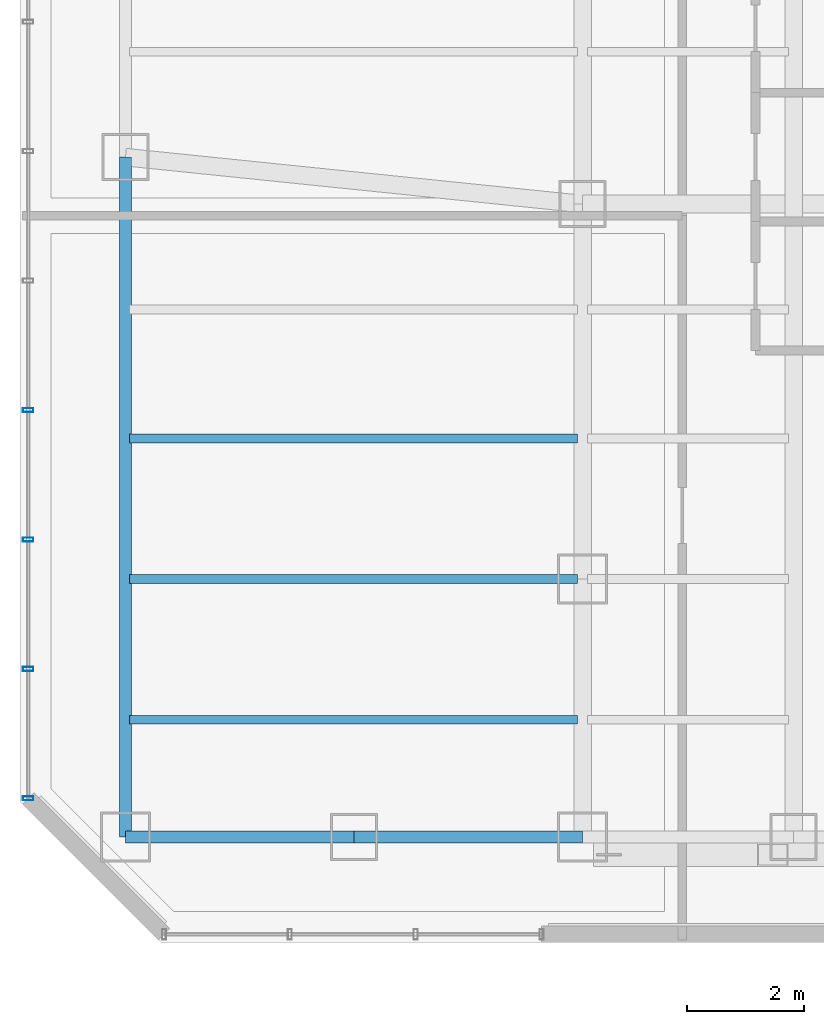
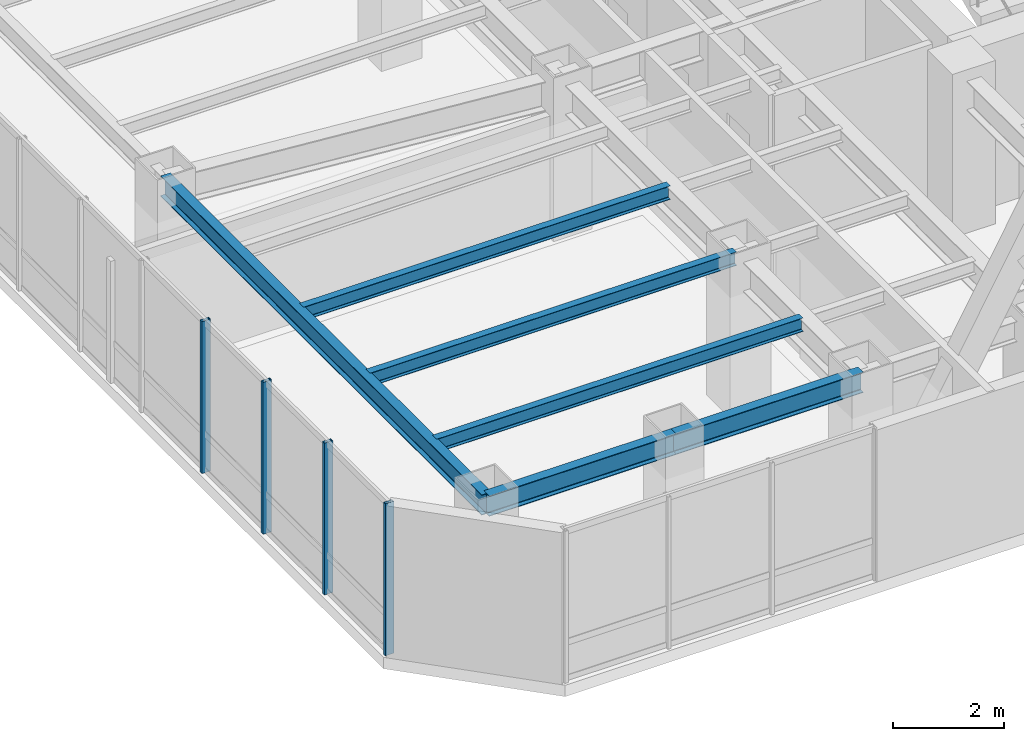
# One storey, part 4 of 27: 6 beams, 4 members, 1 element without a shape of its own.
"""IFC4 building model written with IfcOpenShell, lengths in metres."""

from ifc_helpers import new_model, si_unit, direction, frame, origin, origin_2d, place, context, subcontext, project, spatial, hollow_rectangle, i_section, extrude, material, layer, layer_set, material_profile, profile_set, type_object, element, aggregate, save


model = new_model("IFC4")

# Units and contexts
model_context = context("Model", 3, precision=1e-05, world=origin(), true_north=direction((0.0, 1.0)))
body_context = subcontext(model_context, "Body", "Model", "MODEL_VIEW")
ifc_project = project(units=[si_unit("LENGTHUNIT", "METRE"), si_unit("AREAUNIT", "SQUARE_METRE"), si_unit("VOLUMEUNIT", "CUBIC_METRE"), si_unit("PLANEANGLEUNIT", "RADIAN"), si_unit("MASSUNIT", "GRAM", prefix="KILO")], contexts=[model_context])

# Site, building, storey
site_placement = place(None, origin())
site = spatial("IfcSite", under=ifc_project, at=site_placement, CompositionType="ELEMENT")
building_placement = place(site_placement, origin())
building = spatial("IfcBuilding", under=site, at=building_placement, Name="Hatsunagi Terrace Concourse", CompositionType="ELEMENT")
storey_placement = place(building_placement, frame((0.0, 0.0, 156.449951171875)))
storey = spatial("IfcBuildingStorey", under=building, at=storey_placement, Name="L41", CompositionType="ELEMENT", Elevation=156.449951171875)

# Curtain wall, members
ifc_material_1 = material(Name="Anodised Aluminium Alloy 6063-T5", Category="aluminium")
ifc_layer = layer(ifc_material_1, 0.199951171875)
ifc_layer_set = layer_set([ifc_layer], Name="OfficeZone1_CW03")
curtain_wall_type = type_object("IfcCurtainWallType", Name="OfficeZone1_CW03", PredefinedType="NOTDEFINED", material=ifc_layer_set)
curtain_wall_placement = place(storey_placement, origin())
curtain_wall = element("IfcCurtainWall", 1, at=curtain_wall_placement, inside=storey, type_object=curtain_wall_type, Name="Unitised Curtain Wall CW-03 CW-L41-09", PredefinedType="NOTDEFINED")
ifc_material_2 = material(Name="Anodised Aluminium Alloy 6063-T5", Category="aluminium")
ifc_material_profile_1 = material_profile(ifc_material_2, hollow_rectangle(XDim=0.070068359375, YDim=0.179931640625, WallThickness=0.00390625, at=origin_2d()), Name="ALU-MUL-180x70x4")
ifc_profile_set_1 = profile_set([ifc_material_profile_1], Name="Anodised Aluminium Alloy 6063-T5")
member_type = type_object("IfcMemberType", Name="CurtainWallMullion_180x70", PredefinedType="MULLION", material=ifc_profile_set_1)
member_1_placement = place(storey_placement, frame((9.739990234375, 25.85791015625, 0.0), z_axis=(0.0, 0.0, 1.0), x_axis=(0.0, 1.0, 0.0)))
member_1 = element("IfcMember", 2, at=member_1_placement, type_object=member_type, Name="Curtain Wall Mullion MUL-02", PredefinedType="MULLION", context=body_context, shape_type="SweptSolid", body=[
    extrude(hollow_rectangle(XDim=0.070068359375, YDim=0.179931640625, WallThickness=0.00390625, at=origin_2d()), origin(), (0.0, 0.0, 1.0), 3.35009765625),
])
member_2_placement = place(storey_placement, frame((9.739990234375, 28.06591796875, 0.0), z_axis=(0.0, 0.0, 1.0), x_axis=(0.0, 1.0, 0.0)))
member_2 = element("IfcMember", 3, at=member_2_placement, type_object=member_type, Name="Curtain Wall Mullion MUL-02", PredefinedType="MULLION", context=body_context, shape_type="SweptSolid", body=[
    extrude(hollow_rectangle(XDim=0.070068359375, YDim=0.179931640625, WallThickness=0.00390625, at=origin_2d()), origin(), (0.0, 0.0, 1.0), 3.35009765625),
])
member_3_placement = place(storey_placement, frame((9.739990234375, 30.27490234375, 0.0), z_axis=(0.0, 0.0, 1.0), x_axis=(0.0, 1.0, 0.0)))
member_3 = element("IfcMember", 4, at=member_3_placement, type_object=member_type, Name="Curtain Wall Mullion MUL-02", PredefinedType="MULLION", context=body_context, shape_type="SweptSolid", body=[
    extrude(hollow_rectangle(XDim=0.070068359375, YDim=0.179931640625, WallThickness=0.00390625, at=origin_2d()), origin(), (0.0, 0.0, 1.0), 3.35009765625),
])
member_4_placement = place(storey_placement, frame((9.739990234375, 32.48291015625, 0.0), z_axis=(0.0, 0.0, 1.0), x_axis=(0.0, 1.0, 0.0)))
member_4 = element("IfcMember", 5, at=member_4_placement, type_object=member_type, Name="Curtain Wall Mullion MUL-02", PredefinedType="MULLION", context=body_context, shape_type="SweptSolid", body=[
    extrude(hollow_rectangle(XDim=0.070068359375, YDim=0.179931640625, WallThickness=0.00390625, at=origin_2d()), origin(), (0.0, 0.0, 1.0), 3.35009765625),
])
aggregate(curtain_wall, [member_1, member_2, member_3, member_4])

# Beams
ifc_material_3 = material(Name="Steel SN490B", Category="steel")
ifc_material_profile_2 = material_profile(ifc_material_3, i_section(OverallWidth=0.14990234375, OverallDepth=0.300048828125, WebThickness=0.006591796875, FlangeThickness=0.009033203125, FilletRadius=0.010986328125, at=origin_2d()), Name="H-300x150x6.5x9")
ifc_profile_set_2 = profile_set([ifc_material_profile_2], Name="Steel SN490B")
beam_type_1 = type_object("IfcBeamType", Name="OfficeJoist_H_300x150", PredefinedType="JOIST", material=ifc_profile_set_2)
for number, where, z_axis, x_axis, name in (
    (6, (11.465087890625, 27.199951171875, 3.199951171875), (1.0, 0.0, 0.0), (0.0, 1.0, 0.0), "Beam J-03 J-L41-W-11-272"),
    (7, (11.465087890625, 29.60009765625, 3.199951171875), (1.0, 0.0, 0.0), (0.0, 1.0, 0.0), "Beam J-03 J-L41-W-11-296"),
    (8, (11.465087890625, 32.0, 3.199951171875), (1.0, 0.0, 0.0), (0.0, 1.0, 0.0), "Beam J-03 J-L41-W-11-320"),
):
    element("IfcBeam", number, at=place(storey_placement, frame(where, z_axis=z_axis, x_axis=x_axis)), inside=storey, type_object=beam_type_1, Name=name, PredefinedType="JOIST", context=body_context, shape_type="SweptSolid", body=[
        extrude(i_section(OverallWidth=0.14990234375, OverallDepth=0.300048828125, WebThickness=0.006591796875, FlangeThickness=0.009033203125, FilletRadius=0.010986328125, at=origin_2d()), origin(), (0.0, 0.0, 1.0), 7.64990234375),
    ])
ifc_material_4 = material(Name="Steel SN490B", Category="steel")
ifc_material_profile_3 = material_profile(ifc_material_4, i_section(OverallWidth=0.199951171875, OverallDepth=0.449951171875, WebThickness=0.009033203125, FlangeThickness=0.013916015625, FilletRadius=0.01611328125, at=origin_2d()), Name="H-450x200x9x14")
ifc_profile_set_3 = profile_set([ifc_material_profile_3], Name="Steel SN490B")
beam_type_2 = type_object("IfcBeamType", Name="PerimeterSpandrel_H_450x200", PredefinedType="SPANDREL", material=ifc_profile_set_3)
beam_1_placement = place(storey_placement, frame((11.39990234375, 25.199951171875, 3.125), z_axis=(1.0, 0.0, 0.0), x_axis=(0.0, 1.0, 0.0)))
element("IfcBeam", 9, at=beam_1_placement, inside=storey, type_object=beam_type_2, Name="Beam SP-02 BM-L41-WS-11", PredefinedType="SPANDREL", context=body_context, shape_type="SweptSolid", body=[
    extrude(i_section(OverallWidth=0.199951171875, OverallDepth=0.449951171875, WebThickness=0.009033203125, FlangeThickness=0.013916015625, FilletRadius=0.01611328125, at=origin_2d()), origin(), (0.0, 0.0, 1.0), 3.900146484375),
])
beam_2_placement = place(storey_placement, frame((15.300048828125, 25.199951171875, 3.125), z_axis=(1.0, 0.0, 0.0), x_axis=(0.0, 1.0, 0.0)))
element("IfcBeam", 10, at=beam_2_placement, inside=storey, type_object=beam_type_2, Name="Beam SP-02 BM-L41-WS-15", PredefinedType="SPANDREL", context=body_context, shape_type="SweptSolid", body=[
    extrude(i_section(OverallWidth=0.199951171875, OverallDepth=0.449951171875, WebThickness=0.009033203125, FlangeThickness=0.013916015625, FilletRadius=0.01611328125, at=origin_2d()), origin(), (0.0, 0.0, 1.0), 3.89990234375),
])
beam_3_placement = place(storey_placement, frame((11.39990234375, 25.199951171875, 3.125), z_axis=(0.0, 1.0, 0.0), x_axis=(-1.0, 0.0, 0.0)))
element("IfcBeam", 11, at=beam_3_placement, inside=storey, type_object=beam_type_2, Name="Beam SP-02 BM-L41-NS-11-25", PredefinedType="SPANDREL", context=body_context, shape_type="SweptSolid", body=[
    extrude(i_section(OverallWidth=0.199951171875, OverallDepth=0.449951171875, WebThickness=0.009033203125, FlangeThickness=0.013916015625, FilletRadius=0.01611328125, at=origin_2d()), origin(), (0.0, 0.0, 1.0), 11.60009765625),
])

save(model, "model.ifc")
